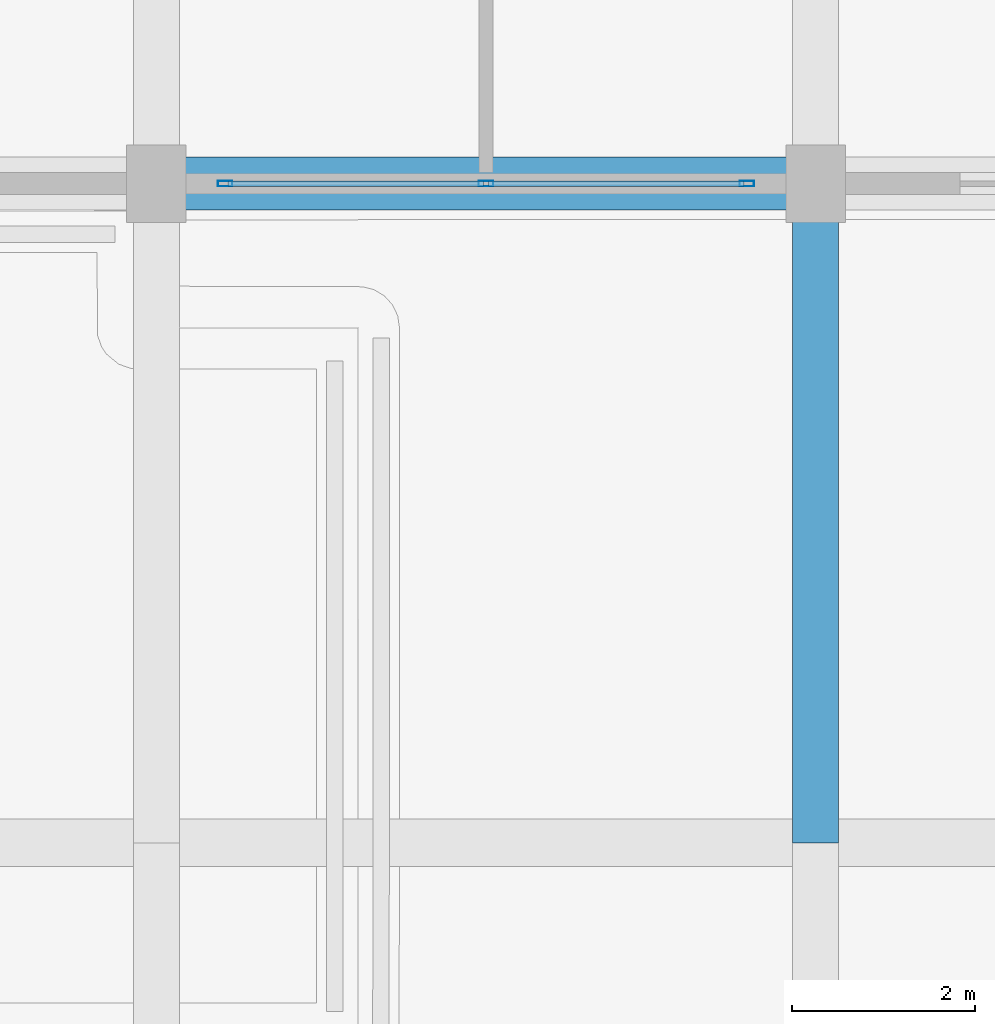
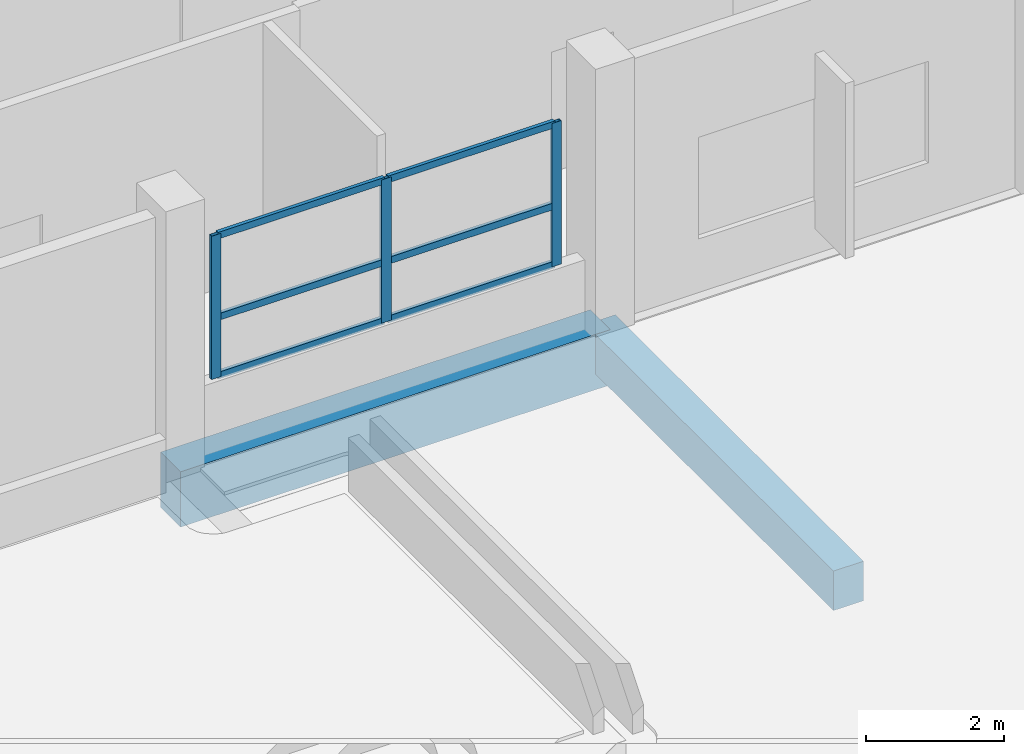
# One storey, part 98 of 140: 9 members, 2 beams, 1 element without a shape of its own.
"""IFC4 building model written with IfcOpenShell, lengths in metres."""

import ifcopenshell
import ifcopenshell.guid

model = None  # the IFC model being written
_history = None  # IfcOwnerHistory: only IFC2X3 demands one
_inside = {}  # id of a spatial element -> (the spatial element, [elements in it])
_under = {}  # id of a project, library or spatial element -> (it, [spatial elements below it])
_declared = {}  # id of a project -> (the project, [libraries it declares])
_typed = {}  # id of a type object -> (the type object, [elements of that type])
_made_of = {}  # id of a material, layer set ... -> (it, [elements and type objects made of it])


def new_model(schema):
    """Start an empty IFC model of exactly this schema.

    Asked for "IFC4X3", IfcOpenShell would pick the latest addendum, in which some entities
    have other attributes; the version numbers below select the first issue.
    IFC2X3 requires an IfcOwnerHistory on every rooted entity: one is made here for all.
    """
    global model, _history
    if schema == "IFC4X3":
        model = ifcopenshell.file(schema_version=(4, 3, 0, 0))
    else:
        model = ifcopenshell.file(schema=schema)
    _inside.clear()
    _under.clear()
    _declared.clear()
    _typed.clear()
    _made_of.clear()
    _history = None
    if model.schema == "IFC2X3":
        org = make("IfcOrganization", Name="unknown")
        user = make(
            "IfcPersonAndOrganization",
            ThePerson=make("IfcPerson", FamilyName="unknown"),
            TheOrganization=org,
        )
        app = make(
            "IfcApplication",
            ApplicationDeveloper=org,
            Version="unknown",
            ApplicationFullName="unknown",
            ApplicationIdentifier="unknown",
        )
        _history = make(
            "IfcOwnerHistory",
            OwningUser=user,
            OwningApplication=app,
            ChangeAction="ADDED",
            CreationDate=0,
        )
    return model


def make(cls, **values):
    """One entity of the class cls with the attributes given. An attribute that is None is left unset."""
    return model.create_entity(
        cls, **{name: value for name, value in values.items() if value is not None}
    )


def rooted(cls, **values):
    """An entity with a GlobalId (a new one), such as an element, a storey or a relation."""
    return make(cls, GlobalId=ifcopenshell.guid.new(), OwnerHistory=_history, **values)


def si_unit(unit_type, name, prefix=None):
    """IfcSIUnit, for example si_unit("LENGTHUNIT", "METRE", prefix="MILLI")."""
    return make("IfcSIUnit", UnitType=unit_type, Prefix=prefix, Name=name)


def assignment(units):
    """IfcUnitAssignment: the units of a project."""
    return None if units is None else make("IfcUnitAssignment", Units=units)


def point(xyz):
    """IfcCartesianPoint."""
    return None if xyz is None else make("IfcCartesianPoint", Coordinates=xyz)


def direction(xyz):
    """IfcDirection."""
    return None if xyz is None else make("IfcDirection", DirectionRatios=xyz)


def frame(location, z_axis=None, x_axis=None):
    """IfcAxis2Placement3D, a coordinate frame: its origin and axes. An axis left out is left unset."""
    return make(
        "IfcAxis2Placement3D",
        Location=point(location),
        Axis=direction(z_axis),
        RefDirection=direction(x_axis),
    )


def frame_2d(location, x_axis=None):
    """IfcAxis2Placement2D, a coordinate frame in the plane: its origin and x axis."""
    return make(
        "IfcAxis2Placement2D", Location=point(location), RefDirection=direction(x_axis)
    )


def origin():
    """The frame at (0, 0, 0) with its axes left unset."""
    return frame((0.0, 0.0, 0.0))


def origin_2d():
    """The frame at (0, 0) in the plane with its x axis left unset."""
    return frame_2d((0.0, 0.0))


def place(relative_to, where):
    """IfcLocalPlacement: puts the frame where relative to a parent placement (None: the world)."""
    return make(
        "IfcLocalPlacement", PlacementRelTo=relative_to, RelativePlacement=where
    )


def context(
    kind, dimensions, precision=None, world=None, true_north=None, identifier=None
):
    """IfcGeometricRepresentationContext, for example the 3D "Model" context."""
    return make(
        "IfcGeometricRepresentationContext",
        ContextIdentifier=identifier,
        ContextType=kind,
        CoordinateSpaceDimension=dimensions,
        Precision=precision,
        WorldCoordinateSystem=world,
        TrueNorth=true_north,
    )


def subcontext(parent, identifier, kind, view, scale=None):
    """IfcGeometricRepresentationSubContext, for example "Body" below "Model"."""
    return make(
        "IfcGeometricRepresentationSubContext",
        ContextIdentifier=identifier,
        ContextType=kind,
        ParentContext=parent,
        TargetScale=scale,
        TargetView=view,
    )


def project(units=None, contexts=None):
    """IfcProject with its units and contexts."""
    return rooted(
        "IfcProject",
        Name="project",
        RepresentationContexts=contexts,
        UnitsInContext=assignment(units),
    )


def spatial(cls, under=None, at=None, **own):
    """A site, building, storey or space (cls), placed at a placement, below another one or the project."""
    s = rooted(cls, ObjectPlacement=at, **own)
    if under is not None:
        _under.setdefault(under.id(), (under, []))[1].append(s)
    return s


def profile(cls, at=None, kind="AREA", **sizes):
    """A parametric profile (cls). Its sizes go by their IFC names, for example OverallWidth=200.0."""
    return make(cls, ProfileType=kind, Position=at, **sizes)


def rectangle(**sizes):
    """IfcRectangleProfileDef."""
    return profile("IfcRectangleProfileDef", **sizes)


def hollow_rectangle(**sizes):
    """IfcRectangleHollowProfileDef."""
    return profile("IfcRectangleHollowProfileDef", **sizes)


def extrude(swept, where, along, depth):
    """IfcExtrudedAreaSolid: the profile swept, set in the frame where, extruded along a direction by depth."""
    return make(
        "IfcExtrudedAreaSolid",
        SweptArea=swept,
        Position=where,
        ExtrudedDirection=direction(along),
        Depth=depth,
    )


def shape(context_of_items, identifier, shape_type, items):
    """IfcShapeRepresentation: the items that make up one representation, for example the "Body"."""
    return make(
        "IfcShapeRepresentation",
        ContextOfItems=context_of_items,
        RepresentationIdentifier=identifier,
        RepresentationType=shape_type,
        Items=items,
    )


def material(Name=None, Category=None):
    """IfcMaterial."""
    return make("IfcMaterial", Name=Name, Category=Category)


def layer(
    of_material, thickness, ventilated=None, Name=None, Category=None, Priority=None
):
    """IfcMaterialLayer: one layer of a wall or slab, of a material (None: an air gap)."""
    return make(
        "IfcMaterialLayer",
        Material=of_material,
        LayerThickness=thickness,
        IsVentilated=ventilated,
        Name=Name,
        Category=Category,
        Priority=Priority,
    )


def layer_set(layers, Name=None):
    """IfcMaterialLayerSet."""
    return make("IfcMaterialLayerSet", MaterialLayers=layers, LayerSetName=Name)


def material_profile(
    of_material, cross_section, Name=None, Category=None, Priority=None
):
    """IfcMaterialProfile: a cross section and its material."""
    return make(
        "IfcMaterialProfile",
        Name=Name,
        Material=of_material,
        Profile=cross_section,
        Priority=Priority,
        Category=Category,
    )


def profile_set(profiles, Name=None, composite=None):
    """IfcMaterialProfileSet."""
    return make(
        "IfcMaterialProfileSet",
        Name=Name,
        MaterialProfiles=profiles,
        CompositeProfile=composite,
    )


def made_of(thing, what):
    """Note that an element or type object is made of a material, layer set ...; save() writes the relation."""
    if what is not None:
        _made_of.setdefault(what.id(), (what, []))[1].append(thing)
    return thing


def type_object(cls, material=None, **own):
    """A type object (cls), such as IfcWallType, which elements share."""
    return made_of(rooted(cls, **own), material)


def element(
    cls,
    number,
    at=None,
    inside=None,
    cuts=None,
    type_object=None,
    material=None,
    context=None,
    identifier="Body",
    shape_type=None,
    held_by="IfcProductDefinitionShape",
    body=None,
    shapes=None,
    **own,
):
    """One element of the class cls, such as IfcWall. Its Tag is "e" and its number.

    at: its placement. inside: the storey or other place that contains it. cuts: it is an
    opening in that element (IfcRelVoidsElement). A single representation is given by context,
    identifier, shape_type and body (its items); several are given by shapes. held_by: the class
    of the entity that holds the representations. save() writes the other relations.
    """
    e = rooted(cls, Tag="e%d" % number, ObjectPlacement=at, **own)
    if body is not None:
        shapes = [shape(context, identifier, shape_type, body)]
    if shapes is not None:
        e.Representation = make(held_by, Representations=shapes)
    if inside is not None:
        _inside.setdefault(inside.id(), (inside, []))[1].append(e)
    if cuts is not None:
        rooted(
            "IfcRelVoidsElement", RelatingBuildingElement=cuts, RelatedOpeningElement=e
        )
    if type_object is not None:
        _typed.setdefault(type_object.id(), (type_object, []))[1].append(e)
    return made_of(e, material)


def aggregate(whole, parts):
    """IfcRelAggregates: a whole, such as a stair, and the parts it consists of."""
    return rooted("IfcRelAggregates", RelatingObject=whole, RelatedObjects=parts)


def save(model, path):
    """Write the relations noted so far, then the file.

    IfcRelAggregates (storeys below a building ...), IfcRelContainedInSpatialStructure (elements
    in a storey), IfcRelDefinesByType, IfcRelAssociatesMaterial and IfcRelDeclares: one each for
    every whole, place, type object, material and project.
    """
    for whole, parts in _under.values():
        aggregate(whole, parts)
    for where, things in _inside.values():
        rooted(
            "IfcRelContainedInSpatialStructure",
            RelatedElements=things,
            RelatingStructure=where,
        )
    for kind, things in _typed.values():
        rooted("IfcRelDefinesByType", RelatedObjects=things, RelatingType=kind)
    for what, things in _made_of.values():
        rooted("IfcRelAssociatesMaterial", RelatedObjects=things, RelatingMaterial=what)
    for by, libraries in _declared.values():
        rooted("IfcRelDeclares", RelatingContext=by, RelatedDefinitions=libraries)
    model.write(path)


model = new_model("IFC4")

# Units and contexts
model_context = context("Model", 3, precision=1e-05, world=origin(), true_north=direction((0.0, 1.0)))
body_context = subcontext(model_context, "Body", "Model", "MODEL_VIEW")
ifc_project = project(units=[si_unit("LENGTHUNIT", "METRE"), si_unit("AREAUNIT", "SQUARE_METRE"), si_unit("VOLUMEUNIT", "CUBIC_METRE"), si_unit("PLANEANGLEUNIT", "RADIAN"), si_unit("MASSUNIT", "GRAM", prefix="KILO")], contexts=[model_context])

# Site, building, storey
site_placement = place(None, origin())
site = spatial("IfcSite", under=ifc_project, at=site_placement, CompositionType="ELEMENT")
building_placement = place(site_placement, origin())
building = spatial("IfcBuilding", under=site, at=building_placement, Name="Seraya Terrace Polytechnic", CompositionType="ELEMENT")
storey_placement = place(building_placement, frame((0.0, 0.0, 9.60009765625)))
storey = spatial("IfcBuildingStorey", under=building, at=storey_placement, Name="L02", CompositionType="ELEMENT", Elevation=9.60009765625)

# Beams
ifc_material_1 = material(Name="Concrete C40/50", Category="concrete")
ifc_material_profile_1 = material_profile(ifc_material_1, rectangle(XDim=0.580078125, YDim=0.97998046875, at=origin_2d()), Name="RC 580x980")
ifc_profile_set_1 = profile_set([ifc_material_profile_1], Name="Concrete C40/50")
beam_type_1 = type_object("IfcBeamType", Name="BM-02", PredefinedType="BEAM", material=ifc_profile_set_1)
beam_1_placement = place(storey_placement, frame((144.0, 79.199951171875, -0.489990234375), z_axis=(1.0, 0.0, 0.0), x_axis=(0.0, 1.0, 0.0)))
element("IfcBeam", 1, at=beam_1_placement, inside=storey, type_object=beam_type_1, Name="Beam BM-02 L02 X (144.0..151.2, 79.2)", PredefinedType="BEAM", context=body_context, shape_type="SweptSolid", body=[
    extrude(rectangle(XDim=0.580078125, YDim=0.97998046875, at=origin_2d()), origin(), (0.0, 0.0, 1.0), 7.199951171875),
])
ifc_material_profile_2 = material_profile(ifc_material_1, rectangle(XDim=0.5, YDim=0.699951171875, at=origin_2d()), Name="RC 500x700")
ifc_profile_set_2 = profile_set([ifc_material_profile_2], Name="Concrete C40/50")
beam_type_2 = type_object("IfcBeamType", Name="BM-07", PredefinedType="BEAM", material=ifc_profile_set_2)
beam_2_placement = place(storey_placement, frame((151.199951171875, 72.0, -0.35009765625), z_axis=(0.0, 1.0, 0.0), x_axis=(-1.0, 0.0, 0.0)))
element("IfcBeam", 2, at=beam_2_placement, inside=storey, type_object=beam_type_2, Name="Beam BM-07 L02 Y (151.2, 72.0..79.2)", PredefinedType="BEAM", context=body_context, shape_type="SweptSolid", body=[
    extrude(rectangle(XDim=0.5, YDim=0.699951171875, at=origin_2d()), origin(), (0.0, 0.0, 1.0), 7.199951171875),
])

# Curtain wall, members
ifc_material_2 = material(Name="Anodised aluminium EN AW-6063 T6", Category="aluminium")
ifc_layer = layer(ifc_material_2, 0.179931640625, Name="CW-20")
ifc_layer_set = layer_set([ifc_layer], Name="Anodised aluminium EN AW-6063 T6")
curtain_wall_type = type_object("IfcCurtainWallType", Name="CW-20", PredefinedType="NOTDEFINED", material=ifc_layer_set)
curtain_wall_placement = place(storey_placement, origin())
curtain_wall = element("IfcCurtainWall", 3, at=curtain_wall_placement, inside=storey, type_object=curtain_wall_type, Name="Unitised curtain wall CW-20 (CW-L02-092)", PredefinedType="NOTDEFINED")
ifc_material_profile_3 = material_profile(ifc_material_2, hollow_rectangle(XDim=0.06005859375, YDim=0.159912109375, WallThickness=0.00341796875, at=origin_2d()), Name="RHS 160x60x3.5")
ifc_profile_set_3 = profile_set([ifc_material_profile_3], Name="Anodised aluminium EN AW-6063 T6")
member_type_1 = type_object("IfcMemberType", Name="CWM-02", PredefinedType="MULLION", material=ifc_profile_set_3)
member_1_placement = place(storey_placement, frame((150.449951171875, 79.199951171875, 1.239990234375), z_axis=(0.0, 0.0, 1.0), x_axis=(0.0, -1.0, 0.0)))
member_1 = element("IfcMember", 4, at=member_1_placement, type_object=member_type_1, Name="CW-20 mullion 1", PredefinedType="MULLION", context=body_context, shape_type="SweptSolid", body=[
    extrude(hollow_rectangle(XDim=0.06005859375, YDim=0.159912109375, WallThickness=0.00341796875, at=origin_2d()), origin(), (0.0, 0.0, 1.0), 2.539794921875),
])
member_2_placement = place(storey_placement, frame((147.60009765625, 79.199951171875, 1.239990234375), z_axis=(0.0, 0.0, 1.0), x_axis=(0.0, -1.0, 0.0)))
member_2 = element("IfcMember", 5, at=member_2_placement, type_object=member_type_1, Name="CW-20 mullion 2", PredefinedType="MULLION", context=body_context, shape_type="SweptSolid", body=[
    extrude(hollow_rectangle(XDim=0.06005859375, YDim=0.159912109375, WallThickness=0.00341796875, at=origin_2d()), origin(), (0.0, 0.0, 1.0), 2.539794921875),
])
member_3_placement = place(storey_placement, frame((144.75, 79.199951171875, 1.239990234375), z_axis=(0.0, 0.0, 1.0), x_axis=(0.0, -1.0, 0.0)))
member_3 = element("IfcMember", 6, at=member_3_placement, type_object=member_type_1, Name="CW-20 mullion 3", PredefinedType="MULLION", context=body_context, shape_type="SweptSolid", body=[
    extrude(hollow_rectangle(XDim=0.06005859375, YDim=0.159912109375, WallThickness=0.00341796875, at=origin_2d()), origin(), (0.0, 0.0, 1.0), 2.539794921875),
])
ifc_material_profile_4 = material_profile(ifc_material_2, hollow_rectangle(XDim=0.06005859375, YDim=0.1201171875, WallThickness=0.003173828125, at=origin_2d()), Name="RHS 120x60x3.2")
ifc_profile_set_4 = profile_set([ifc_material_profile_4], Name="Anodised aluminium EN AW-6063 T6")
member_type_2 = type_object("IfcMemberType", Name="CWT-02", PredefinedType="USERDEFINED", material=ifc_profile_set_4)
member_4_placement = place(storey_placement, frame((150.419921875, 79.199951171875, 1.27001953125), z_axis=(-1.0, 0.0, 0.0), x_axis=(0.0, -1.0, 0.0)))
member_4 = element("IfcMember", 7, at=member_4_placement, type_object=member_type_2, Name="CW-20 transom 1.1", ObjectType="TRANSOM", PredefinedType="USERDEFINED", context=body_context, shape_type="SweptSolid", body=[
    extrude(hollow_rectangle(XDim=0.06005859375, YDim=0.1201171875, WallThickness=0.003173828125, at=origin_2d()), origin(), (0.0, 0.0, 1.0), 2.7900390625),
])
member_5_placement = place(storey_placement, frame((150.419921875, 79.199951171875, 2.306640625), z_axis=(-1.0, 0.0, 0.0), x_axis=(0.0, -1.0, 0.0)))
member_5 = element("IfcMember", 8, at=member_5_placement, type_object=member_type_2, Name="CW-20 transom 1.2", ObjectType="TRANSOM", PredefinedType="USERDEFINED", context=body_context, shape_type="SweptSolid", body=[
    extrude(hollow_rectangle(XDim=0.06005859375, YDim=0.1201171875, WallThickness=0.003173828125, at=origin_2d()), origin(), (0.0, 0.0, 1.0), 2.7900390625),
])
member_6_placement = place(storey_placement, frame((150.419921875, 79.199951171875, 3.75), z_axis=(-1.0, 0.0, 0.0), x_axis=(0.0, -1.0, 0.0)))
member_6 = element("IfcMember", 9, at=member_6_placement, type_object=member_type_2, Name="CW-20 transom 1.3", ObjectType="TRANSOM", PredefinedType="USERDEFINED", context=body_context, shape_type="SweptSolid", body=[
    extrude(hollow_rectangle(XDim=0.06005859375, YDim=0.1201171875, WallThickness=0.003173828125, at=origin_2d()), origin(), (0.0, 0.0, 1.0), 2.7900390625),
])
member_7_placement = place(storey_placement, frame((147.570068359375, 79.199951171875, 1.27001953125), z_axis=(-1.0, 0.0, 0.0), x_axis=(0.0, -1.0, 0.0)))
member_7 = element("IfcMember", 10, at=member_7_placement, type_object=member_type_2, Name="CW-20 transom 2.1", ObjectType="TRANSOM", PredefinedType="USERDEFINED", context=body_context, shape_type="SweptSolid", body=[
    extrude(hollow_rectangle(XDim=0.06005859375, YDim=0.1201171875, WallThickness=0.003173828125, at=origin_2d()), origin(), (0.0, 0.0, 1.0), 2.7900390625),
])
member_8_placement = place(storey_placement, frame((147.570068359375, 79.199951171875, 2.306640625), z_axis=(-1.0, 0.0, 0.0), x_axis=(0.0, -1.0, 0.0)))
member_8 = element("IfcMember", 11, at=member_8_placement, type_object=member_type_2, Name="CW-20 transom 2.2", ObjectType="TRANSOM", PredefinedType="USERDEFINED", context=body_context, shape_type="SweptSolid", body=[
    extrude(hollow_rectangle(XDim=0.06005859375, YDim=0.1201171875, WallThickness=0.003173828125, at=origin_2d()), origin(), (0.0, 0.0, 1.0), 2.7900390625),
])
member_9_placement = place(storey_placement, frame((147.570068359375, 79.199951171875, 3.75), z_axis=(-1.0, 0.0, 0.0), x_axis=(0.0, -1.0, 0.0)))
member_9 = element("IfcMember", 12, at=member_9_placement, type_object=member_type_2, Name="CW-20 transom 2.3", ObjectType="TRANSOM", PredefinedType="USERDEFINED", context=body_context, shape_type="SweptSolid", body=[
    extrude(hollow_rectangle(XDim=0.06005859375, YDim=0.1201171875, WallThickness=0.003173828125, at=origin_2d()), origin(), (0.0, 0.0, 1.0), 2.7900390625),
])
aggregate(curtain_wall, [member_1, member_2, member_3, member_4, member_5, member_6, member_7, member_8, member_9])

save(model, "model.ifc")
